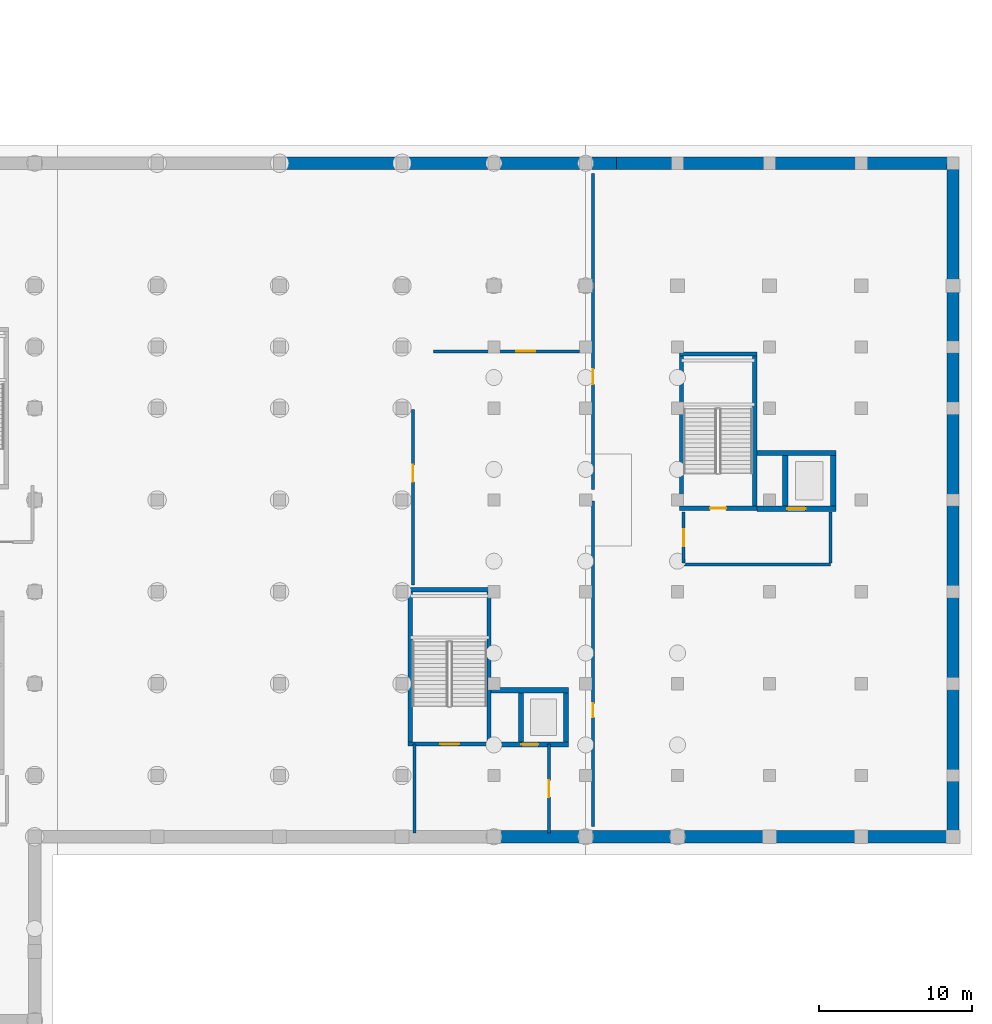
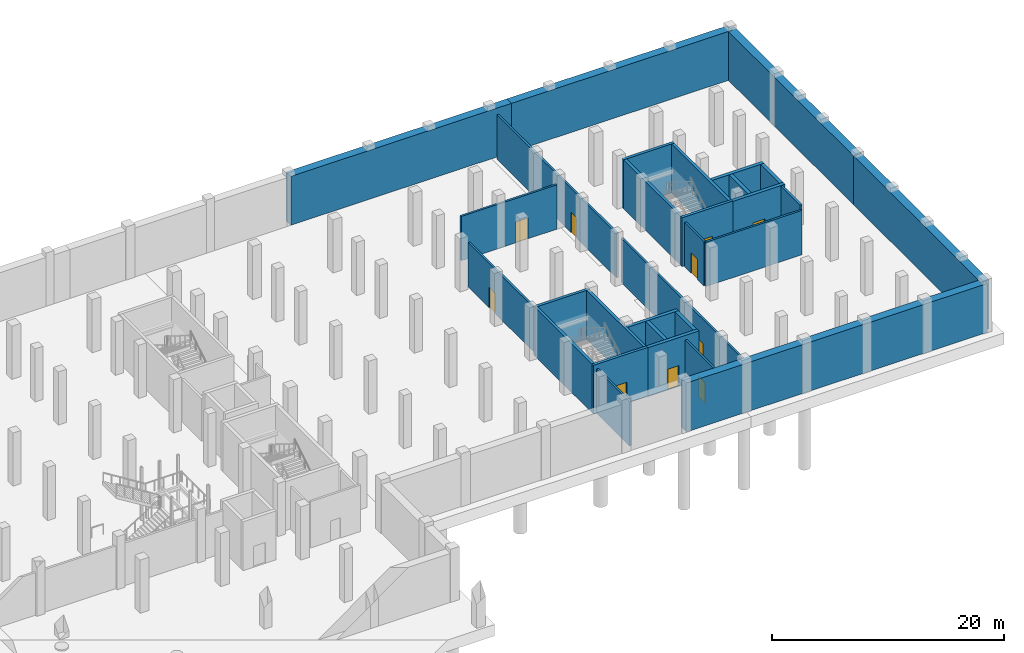
# One storey, part 17 of 26: 30 walls, 10 doors, 10 openings.
"""IFC4 building model written with IfcOpenShell, lengths in metres."""

import ifcopenshell
import ifcopenshell.guid

model = None  # the IFC model being written
_history = None  # IfcOwnerHistory: only IFC2X3 demands one
_inside = {}  # id of a spatial element -> (the spatial element, [elements in it])
_under = {}  # id of a project, library or spatial element -> (it, [spatial elements below it])
_declared = {}  # id of a project -> (the project, [libraries it declares])
_typed = {}  # id of a type object -> (the type object, [elements of that type])
_made_of = {}  # id of a material, layer set ... -> (it, [elements and type objects made of it])


def new_model(schema):
    """Start an empty IFC model of exactly this schema.

    Asked for "IFC4X3", IfcOpenShell would pick the latest addendum, in which some entities
    have other attributes; the version numbers below select the first issue.
    IFC2X3 requires an IfcOwnerHistory on every rooted entity: one is made here for all.
    """
    global model, _history
    if schema == "IFC4X3":
        model = ifcopenshell.file(schema_version=(4, 3, 0, 0))
    else:
        model = ifcopenshell.file(schema=schema)
    _inside.clear()
    _under.clear()
    _declared.clear()
    _typed.clear()
    _made_of.clear()
    _history = None
    if model.schema == "IFC2X3":
        org = make("IfcOrganization", Name="unknown")
        user = make(
            "IfcPersonAndOrganization",
            ThePerson=make("IfcPerson", FamilyName="unknown"),
            TheOrganization=org,
        )
        app = make(
            "IfcApplication",
            ApplicationDeveloper=org,
            Version="unknown",
            ApplicationFullName="unknown",
            ApplicationIdentifier="unknown",
        )
        _history = make(
            "IfcOwnerHistory",
            OwningUser=user,
            OwningApplication=app,
            ChangeAction="ADDED",
            CreationDate=0,
        )
    return model


def make(cls, **values):
    """One entity of the class cls with the attributes given. An attribute that is None is left unset."""
    return model.create_entity(
        cls, **{name: value for name, value in values.items() if value is not None}
    )


def rooted(cls, **values):
    """An entity with a GlobalId (a new one), such as an element, a storey or a relation."""
    return make(cls, GlobalId=ifcopenshell.guid.new(), OwnerHistory=_history, **values)


def si_unit(unit_type, name, prefix=None):
    """IfcSIUnit, for example si_unit("LENGTHUNIT", "METRE", prefix="MILLI")."""
    return make("IfcSIUnit", UnitType=unit_type, Prefix=prefix, Name=name)


def assignment(units):
    """IfcUnitAssignment: the units of a project."""
    return None if units is None else make("IfcUnitAssignment", Units=units)


def point(xyz):
    """IfcCartesianPoint."""
    return None if xyz is None else make("IfcCartesianPoint", Coordinates=xyz)


def direction(xyz):
    """IfcDirection."""
    return None if xyz is None else make("IfcDirection", DirectionRatios=xyz)


def frame(location, z_axis=None, x_axis=None):
    """IfcAxis2Placement3D, a coordinate frame: its origin and axes. An axis left out is left unset."""
    return make(
        "IfcAxis2Placement3D",
        Location=point(location),
        Axis=direction(z_axis),
        RefDirection=direction(x_axis),
    )


def frame_2d(location, x_axis=None):
    """IfcAxis2Placement2D, a coordinate frame in the plane: its origin and x axis."""
    return make(
        "IfcAxis2Placement2D", Location=point(location), RefDirection=direction(x_axis)
    )


def origin():
    """The frame at (0, 0, 0) with its axes left unset."""
    return frame((0.0, 0.0, 0.0))


def place(relative_to, where):
    """IfcLocalPlacement: puts the frame where relative to a parent placement (None: the world)."""
    return make(
        "IfcLocalPlacement", PlacementRelTo=relative_to, RelativePlacement=where
    )


def context(
    kind, dimensions, precision=None, world=None, true_north=None, identifier=None
):
    """IfcGeometricRepresentationContext, for example the 3D "Model" context."""
    return make(
        "IfcGeometricRepresentationContext",
        ContextIdentifier=identifier,
        ContextType=kind,
        CoordinateSpaceDimension=dimensions,
        Precision=precision,
        WorldCoordinateSystem=world,
        TrueNorth=true_north,
    )


def subcontext(parent, identifier, kind, view, scale=None):
    """IfcGeometricRepresentationSubContext, for example "Body" below "Model"."""
    return make(
        "IfcGeometricRepresentationSubContext",
        ContextIdentifier=identifier,
        ContextType=kind,
        ParentContext=parent,
        TargetScale=scale,
        TargetView=view,
    )


def project(units=None, contexts=None):
    """IfcProject with its units and contexts."""
    return rooted(
        "IfcProject",
        Name="project",
        RepresentationContexts=contexts,
        UnitsInContext=assignment(units),
    )


def spatial(cls, under=None, at=None, **own):
    """A site, building, storey or space (cls), placed at a placement, below another one or the project."""
    s = rooted(cls, ObjectPlacement=at, **own)
    if under is not None:
        _under.setdefault(under.id(), (under, []))[1].append(s)
    return s


def profile(cls, at=None, kind="AREA", **sizes):
    """A parametric profile (cls). Its sizes go by their IFC names, for example OverallWidth=200.0."""
    return make(cls, ProfileType=kind, Position=at, **sizes)


def rectangle(**sizes):
    """IfcRectangleProfileDef."""
    return profile("IfcRectangleProfileDef", **sizes)


def extrude(swept, where, along, depth):
    """IfcExtrudedAreaSolid: the profile swept, set in the frame where, extruded along a direction by depth."""
    return make(
        "IfcExtrudedAreaSolid",
        SweptArea=swept,
        Position=where,
        ExtrudedDirection=direction(along),
        Depth=depth,
    )


def shape(context_of_items, identifier, shape_type, items):
    """IfcShapeRepresentation: the items that make up one representation, for example the "Body"."""
    return make(
        "IfcShapeRepresentation",
        ContextOfItems=context_of_items,
        RepresentationIdentifier=identifier,
        RepresentationType=shape_type,
        Items=items,
    )


def material(Name=None, Category=None):
    """IfcMaterial."""
    return make("IfcMaterial", Name=Name, Category=Category)


def layer(
    of_material, thickness, ventilated=None, Name=None, Category=None, Priority=None
):
    """IfcMaterialLayer: one layer of a wall or slab, of a material (None: an air gap)."""
    return make(
        "IfcMaterialLayer",
        Material=of_material,
        LayerThickness=thickness,
        IsVentilated=ventilated,
        Name=Name,
        Category=Category,
        Priority=Priority,
    )


def layer_set(layers, Name=None):
    """IfcMaterialLayerSet."""
    return make("IfcMaterialLayerSet", MaterialLayers=layers, LayerSetName=Name)


def made_of(thing, what):
    """Note that an element or type object is made of a material, layer set ...; save() writes the relation."""
    if what is not None:
        _made_of.setdefault(what.id(), (what, []))[1].append(thing)
    return thing


def type_object(cls, material=None, **own):
    """A type object (cls), such as IfcWallType, which elements share."""
    return made_of(rooted(cls, **own), material)


def element(
    cls,
    number,
    at=None,
    inside=None,
    cuts=None,
    type_object=None,
    material=None,
    context=None,
    identifier="Body",
    shape_type=None,
    held_by="IfcProductDefinitionShape",
    body=None,
    shapes=None,
    **own,
):
    """One element of the class cls, such as IfcWall. Its Tag is "e" and its number.

    at: its placement. inside: the storey or other place that contains it. cuts: it is an
    opening in that element (IfcRelVoidsElement). A single representation is given by context,
    identifier, shape_type and body (its items); several are given by shapes. held_by: the class
    of the entity that holds the representations. save() writes the other relations.
    """
    e = rooted(cls, Tag="e%d" % number, ObjectPlacement=at, **own)
    if body is not None:
        shapes = [shape(context, identifier, shape_type, body)]
    if shapes is not None:
        e.Representation = make(held_by, Representations=shapes)
    if inside is not None:
        _inside.setdefault(inside.id(), (inside, []))[1].append(e)
    if cuts is not None:
        rooted(
            "IfcRelVoidsElement", RelatingBuildingElement=cuts, RelatedOpeningElement=e
        )
    if type_object is not None:
        _typed.setdefault(type_object.id(), (type_object, []))[1].append(e)
    return made_of(e, material)


def fill(opening, filler):
    """IfcRelFillsElement: the door or window that sits in an opening."""
    return rooted(
        "IfcRelFillsElement",
        RelatingOpeningElement=opening,
        RelatedBuildingElement=filler,
    )


def aggregate(whole, parts):
    """IfcRelAggregates: a whole, such as a stair, and the parts it consists of."""
    return rooted("IfcRelAggregates", RelatingObject=whole, RelatedObjects=parts)


def save(model, path):
    """Write the relations noted so far, then the file.

    IfcRelAggregates (storeys below a building ...), IfcRelContainedInSpatialStructure (elements
    in a storey), IfcRelDefinesByType, IfcRelAssociatesMaterial and IfcRelDeclares: one each for
    every whole, place, type object, material and project.
    """
    for whole, parts in _under.values():
        aggregate(whole, parts)
    for where, things in _inside.values():
        rooted(
            "IfcRelContainedInSpatialStructure",
            RelatedElements=things,
            RelatingStructure=where,
        )
    for kind, things in _typed.values():
        rooted("IfcRelDefinesByType", RelatedObjects=things, RelatingType=kind)
    for what, things in _made_of.values():
        rooted("IfcRelAssociatesMaterial", RelatedObjects=things, RelatingMaterial=what)
    for by, libraries in _declared.values():
        rooted("IfcRelDeclares", RelatingContext=by, RelatedDefinitions=libraries)
    model.write(path)


model = new_model("IFC4")

# Units and contexts
model_context = context("Model", 3, precision=1e-05, world=origin(), true_north=direction((0.0, 1.0)))
body_context = subcontext(model_context, "Body", "Model", "MODEL_VIEW")
ifc_project = project(units=[si_unit("LENGTHUNIT", "METRE"), si_unit("AREAUNIT", "SQUARE_METRE"), si_unit("VOLUMEUNIT", "CUBIC_METRE"), si_unit("PLANEANGLEUNIT", "RADIAN"), si_unit("MASSUNIT", "GRAM", prefix="KILO")], contexts=[model_context])

# Site, building, storey
site_placement = place(None, origin())
site = spatial("IfcSite", under=ifc_project, at=site_placement, CompositionType="ELEMENT")
building_placement = place(site_placement, origin())
building = spatial("IfcBuilding", under=site, at=building_placement, Name="Verrall Gate Interchange", CompositionType="ELEMENT")
storey_placement = place(building_placement, frame((0.0, 0.0, -10.39990234375)))
storey = spatial("IfcBuildingStorey", under=building, at=storey_placement, Name="B2", CompositionType="ELEMENT", Elevation=-10.39990234375)

# Wall
ifc_material_1 = material(Name="Fire-Rated Type X Gypsum Stud Partition Assembly (60 min)", Category="gypsum")
ifc_layer_1 = layer(ifc_material_1, 0.199951171875)
ifc_layer_set_1 = layer_set([ifc_layer_1], Name="Fire-Rated Type X Gypsum Stud Partition Assembly (60 min)")
wall_type_1 = type_object("IfcWallType", Name="IW-01 Interior Partition Wall 200", PredefinedType="PARTITIONING", material=ifc_layer_set_1)
wall_1_placement = place(storey_placement, frame((132.800048828125, 18.050048828125, 0.0), z_axis=(0.0, 0.0, 1.0), x_axis=(0.0, -1.0, 0.0)))
element("IfcWall", 1, at=wall_1_placement, inside=storey, type_object=wall_type_1, Name="B2 Core C8 Lobby West Rated Wall", PredefinedType="PARTITIONING", context=body_context, shape_type="SweptSolid", body=[
    extrude(rectangle(XDim=5.820068359375, YDim=0.199951171875, at=frame_2d((2.91015625, 0.0))), origin(), (0.0, 0.0, 1.0), 4.679931640625),
])

# Wall, opening, door
wall_2_placement = place(storey_placement, frame((141.60009765625, 12.22998046875, 0.0), z_axis=(0.0, 0.0, 1.0), x_axis=(0.0, 1.0, 0.0)))
wall_2 = element("IfcWall", 2, at=wall_2_placement, inside=storey, type_object=wall_type_1, Name="B2 Core C8 Lobby East Rated Wall", PredefinedType="PARTITIONING", context=body_context, shape_type="SweptSolid", body=[
    extrude(rectangle(XDim=5.820068359375, YDim=0.199951171875, at=frame_2d((2.91015625, 0.0))), origin(), (0.0, 0.0, 1.0), 4.679931640625),
])
opening_1_placement = place(wall_2_placement, frame((2.360107421875, 0.0, 0.0)))
opening_1 = element("IfcOpeningElement", 3, at=opening_1_placement, cuts=wall_2, Name="Opening LBD092", PredefinedType="OPENING", context=body_context, shape_type="SweptSolid", body=[
    extrude(rectangle(XDim=1.10009765625, YDim=2.14990234375, at=frame_2d((0.550048828125, 1.074951171875))), frame((0.0, 0.11474609375, 0.0), z_axis=(0.0, -1.0, 0.0), x_axis=(1.0, 0.0, 0.0)), (0.0, 0.0, 1.0), 0.229736328125),
])
ifc_material_2 = material(Name="Hollow-Metal Fire-Rated Door Assembly", Category="metal")
door_type_1 = type_object("IfcDoorType", Name="ID-06 Interior Swing Door 1100x2150", OperationType="NOTDEFINED", PredefinedType="DOOR", material=ifc_material_2)
door_1_placement = place(opening_1_placement, origin())
door_1 = element("IfcDoor", 4, at=door_1_placement, inside=storey, type_object=door_type_1, Name="B2 Core C8 Lobby Fire Door LBD092", OperationType="SINGLE_SWING_RIGHT", OverallHeight=2.14990234375, OverallWidth=1.10009765625, PredefinedType="DOOR", context=body_context, shape_type="SweptSolid", body=[
    extrude(rectangle(XDim=1.10009765625, YDim=2.14990234375, at=frame_2d((0.550048828125, 1.074951171875))), frame((0.0, 0.02490234375, 0.0), z_axis=(0.0, -1.0, 0.0), x_axis=(1.0, 0.0, 0.0)), (0.0, 0.0, 1.0), 0.050048828125),
])
fill(opening_1, door_1)

# Wall
wall_3_placement = place(storey_placement, frame((150.39990234375, 29.800048828125, 0.0), z_axis=(0.0, 0.0, 1.0), x_axis=(1.0, 0.0, 0.0)))
element("IfcWall", 5, at=wall_3_placement, inside=storey, type_object=wall_type_1, Name="B2 Core C9 Lobby South Rated Wall", PredefinedType="PARTITIONING", context=body_context, shape_type="SweptSolid", body=[
    extrude(rectangle(XDim=9.60009765625, YDim=0.199951171875, at=frame_2d((4.800048828125, 0.0))), origin(), (0.0, 0.0, 1.0), 4.679931640625),
])

# Wall, opening, door
wall_4_placement = place(storey_placement, frame((150.39990234375, 33.199951171875, 0.0), z_axis=(0.0, 0.0, 1.0), x_axis=(0.0, -1.0, 0.0)))
wall_4 = element("IfcWall", 6, at=wall_4_placement, inside=storey, type_object=wall_type_1, Name="B2 Core C9 Lobby West Rated Wall", PredefinedType="PARTITIONING", context=body_context, shape_type="SweptSolid", body=[
    extrude(rectangle(XDim=3.320068359375, YDim=0.199951171875, at=frame_2d((1.66015625, 0.0))), origin(), (0.0, 0.0, 1.0), 4.679931640625),
])
opening_2_placement = place(wall_4_placement, frame((1.110107421875, 0.0, 0.0)))
opening_2 = element("IfcOpeningElement", 7, at=opening_2_placement, cuts=wall_4, Name="Opening LBD102", PredefinedType="OPENING", context=body_context, shape_type="SweptSolid", body=[
    extrude(rectangle(XDim=1.10009765625, YDim=2.14990234375, at=frame_2d((0.550048828125, 1.074951171875))), frame((0.0, 0.11474609375, 0.0), z_axis=(0.0, -1.0, 0.0), x_axis=(1.0, 0.0, 0.0)), (0.0, 0.0, 1.0), 0.229736328125),
])
door_2_placement = place(opening_2_placement, origin())
door_2 = element("IfcDoor", 8, at=door_2_placement, inside=storey, type_object=door_type_1, Name="B2 Core C9 Lobby Fire Door LBD102", OperationType="SINGLE_SWING_RIGHT", OverallHeight=2.14990234375, OverallWidth=1.10009765625, PredefinedType="DOOR", context=body_context, shape_type="SweptSolid", body=[
    extrude(rectangle(XDim=1.10009765625, YDim=2.14990234375, at=frame_2d((0.550048828125, 1.074951171875))), frame((0.0, 0.02490234375, 0.0), z_axis=(0.0, -1.0, 0.0), x_axis=(1.0, 0.0, 0.0)), (0.0, 0.0, 1.0), 0.050048828125),
])
fill(opening_2, door_2)

# Wall
wall_5_placement = place(storey_placement, frame((160.0, 29.8798828125, 0.0), z_axis=(0.0, 0.0, 1.0), x_axis=(0.0, 1.0, 0.0)))
element("IfcWall", 9, at=wall_5_placement, inside=storey, type_object=wall_type_1, Name="B2 Core C9 Lobby East Rated Wall", PredefinedType="PARTITIONING", context=body_context, shape_type="SweptSolid", body=[
    extrude(rectangle(XDim=3.320068359375, YDim=0.199951171875, at=frame_2d((1.66015625, 0.0))), origin(), (0.0, 0.0, 1.0), 5.14990234375),
])

# Wall, opening, door
wall_6_placement = place(storey_placement, frame((132.719970703125, 39.919921875, 0.0), z_axis=(0.0, 0.0, 1.0), x_axis=(0.0, -1.0, 0.0)))
wall_6 = element("IfcWall", 10, at=wall_6_placement, inside=storey, type_object=wall_type_1, Name="B2 East Tunnel Emergency Ventilation Plenum Partition 002", PredefinedType="PARTITIONING", context=body_context, shape_type="SweptSolid", body=[
    extrude(rectangle(XDim=11.47998046875, YDim=0.199951171875, at=frame_2d((5.739990234375, 0.0))), origin(), (0.0, 0.0, 1.0), 4.679931640625),
])
opening_3_placement = place(wall_6_placement, frame((3.633056640625, 0.0, 0.0)))
opening_3 = element("IfcOpeningElement", 11, at=opening_3_placement, cuts=wall_6, Name="Opening D002", PredefinedType="OPENING", context=body_context, shape_type="SweptSolid", body=[
    extrude(rectangle(XDim=1.10009765625, YDim=2.14990234375, at=frame_2d((0.550048828125, 1.074951171875))), frame((0.0, 0.11474609375, 0.0), z_axis=(0.0, -1.0, 0.0), x_axis=(1.0, 0.0, 0.0)), (0.0, 0.0, 1.0), 0.229736328125),
])
door_3_placement = place(opening_3_placement, origin())
door_3 = element("IfcDoor", 12, at=door_3_placement, inside=storey, type_object=door_type_1, Name="B2 East Tunnel Emergency Ventilation Plenum Door D002", OperationType="SINGLE_SWING_LEFT", OverallHeight=2.14990234375, OverallWidth=1.10009765625, PredefinedType="DOOR", context=body_context, shape_type="SweptSolid", body=[
    extrude(rectangle(XDim=1.10009765625, YDim=2.14990234375, at=frame_2d((0.550048828125, 1.074951171875))), frame((0.0, 0.02490234375, 0.0), z_axis=(0.0, -1.0, 0.0), x_axis=(1.0, 0.0, 0.0)), (0.0, 0.0, 1.0), 0.050048828125),
])
fill(opening_3, door_3)

wall_7_placement = place(storey_placement, frame((144.47998046875, 12.679931640625, 0.0), z_axis=(0.0, 0.0, 1.0), x_axis=(0.0, 1.0, 0.0)))
wall_7 = element("IfcWall", 13, at=wall_7_placement, inside=storey, type_object=wall_type_1, Name="B2 East Metro Tunnel Ventilation Fan Plant Partition 005", PredefinedType="PARTITIONING", context=body_context, shape_type="SweptSolid", body=[
    extrude(rectangle(XDim=21.239990234375, YDim=0.199951171875, at=frame_2d((10.6201171875, 0.0))), origin(), (0.0, 0.0, 1.0), 4.679931640625),
])
opening_4_placement = place(wall_7_placement, frame((7.112060546875, 0.0, 0.0)))
opening_4 = element("IfcOpeningElement", 14, at=opening_4_placement, cuts=wall_7, Name="Opening D005", PredefinedType="OPENING", context=body_context, shape_type="SweptSolid", body=[
    extrude(rectangle(XDim=0.919921875, YDim=2.10009765625, at=frame_2d((0.4599609375, 1.050048828125))), frame((0.0, 0.11474609375, 0.0), z_axis=(0.0, -1.0, 0.0), x_axis=(1.0, 0.0, 0.0)), (0.0, 0.0, 1.0), 0.229736328125),
])
ifc_material_3 = material(Name="Architectural Solid-Core Birch Acoustic Door Assembly", Category="wood")
door_type_2 = type_object("IfcDoorType", Name="ID-10 Interior Swing Door 920x2100", OperationType="NOTDEFINED", PredefinedType="DOOR", material=ifc_material_3)
door_4_placement = place(opening_4_placement, origin())
door_4 = element("IfcDoor", 15, at=door_4_placement, inside=storey, type_object=door_type_2, Name="B2 East Metro Tunnel Ventilation Fan Plant Door D005", OperationType="SINGLE_SWING_RIGHT", OverallHeight=2.10009765625, OverallWidth=0.919921875, PredefinedType="DOOR", context=body_context, shape_type="SweptSolid", body=[
    extrude(rectangle(XDim=0.919921875, YDim=2.10009765625, at=frame_2d((0.4599609375, 1.050048828125))), frame((0.0, 0.02490234375, 0.0), z_axis=(0.0, -1.0, 0.0), x_axis=(1.0, 0.0, 0.0)), (0.0, 0.0, 1.0), 0.050048828125),
])
fill(opening_4, door_4)

wall_8_placement = place(storey_placement, frame((144.47998046875, 34.679931640625, 0.0), z_axis=(0.0, 0.0, 1.0), x_axis=(0.0, 1.0, 0.0)))
wall_8 = element("IfcWall", 16, at=wall_8_placement, inside=storey, type_object=wall_type_1, Name="B2 Submersible Sump Pump and Drainage Plant Partition 006", PredefinedType="PARTITIONING", context=body_context, shape_type="SweptSolid", body=[
    extrude(rectangle(XDim=20.64013671875, YDim=0.199951171875, at=frame_2d((10.320068359375, 0.0))), origin(), (0.0, 0.0, 1.0), 4.679931640625),
])
opening_5_placement = place(wall_8_placement, frame((6.8740234375, 0.0, 0.0)))
opening_5 = element("IfcOpeningElement", 17, at=opening_5_placement, cuts=wall_8, Name="Opening D006", PredefinedType="OPENING", context=body_context, shape_type="SweptSolid", body=[
    extrude(rectangle(XDim=1.0, YDim=2.14990234375, at=frame_2d((0.5, 1.074951171875))), frame((0.0, 0.11474609375, 0.0), z_axis=(0.0, -1.0, 0.0), x_axis=(1.0, 0.0, 0.0)), (0.0, 0.0, 1.0), 0.229736328125),
])
ifc_material_4 = material(Name="Hollow-Metal Fire-Rated Door Assembly", Category="metal")
door_type_3 = type_object("IfcDoorType", Name="ID-05 Interior Swing Door 1000x2150", OperationType="NOTDEFINED", PredefinedType="DOOR", material=ifc_material_4)
door_5_placement = place(opening_5_placement, origin())
door_5 = element("IfcDoor", 18, at=door_5_placement, inside=storey, type_object=door_type_3, Name="B2 Submersible Sump Pump and Drainage Plant Door D006", OperationType="SINGLE_SWING_LEFT", OverallHeight=2.14990234375, OverallWidth=1.0, PredefinedType="DOOR", context=body_context, shape_type="SweptSolid", body=[
    extrude(rectangle(XDim=1.0, YDim=2.14990234375, at=frame_2d((0.5, 1.074951171875))), frame((0.0, 0.02490234375, 0.0), z_axis=(0.0, -1.0, 0.0), x_axis=(1.0, 0.0, 0.0)), (0.0, 0.0, 1.0), 0.050048828125),
])
fill(opening_5, door_5)

wall_9_placement = place(storey_placement, frame((143.607421875, 43.7099609375, 0.0), z_axis=(0.0, 0.0, 1.0), x_axis=(-0.999999994757, -0.000102403932, 0.0)))
wall_9 = element("IfcWall", 19, at=wall_9_placement, inside=storey, type_object=wall_type_1, Name="B2 Northbound LRT Trackway and Exhaust Plenum Partition 008", PredefinedType="PARTITIONING", context=body_context, shape_type="SweptSolid", body=[
    extrude(rectangle(XDim=9.536376953125, YDim=0.199951171875, at=frame_2d((4.76806640625, 0.0))), origin(), (0.0, 0.0, 1.0), 4.679931640625),
])
opening_6_placement = place(wall_9_placement, frame((2.910888671875, 0.0, 0.0)))
opening_6 = element("IfcOpeningElement", 20, at=opening_6_placement, cuts=wall_9, Name="Opening D008", PredefinedType="OPENING", context=body_context, shape_type="SweptSolid", body=[
    extrude(rectangle(XDim=1.219970703125, YDim=2.199951171875, at=frame_2d((0.60986328125, 1.10009765625))), frame((0.0, 0.11474609375, 0.0), z_axis=(0.0, -1.0, 0.0), x_axis=(1.0, 0.0, 0.0)), (0.0, 0.0, 1.0), 0.229736328125),
])
ifc_material_5 = material(Name="Hollow-Metal Fire-Rated Door Assembly", Category="metal")
door_type_4 = type_object("IfcDoorType", Name="ID-07 Interior Swing Door 1220x2200", OperationType="NOTDEFINED", PredefinedType="DOOR", material=ifc_material_5)
door_6_placement = place(opening_6_placement, origin())
door_6 = element("IfcDoor", 21, at=door_6_placement, inside=storey, type_object=door_type_4, Name="B2 Northbound LRT Trackway and Exhaust Plenum Door D008", OperationType="SINGLE_SWING_LEFT", OverallHeight=2.199951171875, OverallWidth=1.219970703125, PredefinedType="DOOR", context=body_context, shape_type="SweptSolid", body=[
    extrude(rectangle(XDim=1.219970703125, YDim=2.199951171875, at=frame_2d((0.60986328125, 1.10009765625))), frame((0.0, 0.02490234375, 0.0), z_axis=(0.0, -1.0, 0.0), x_axis=(1.0, 0.0, 0.0)), (0.0, 0.0, 1.0), 0.050048828125),
])
fill(opening_6, door_6)

# Walls
ifc_material_6 = material(Name="Concrete CSA A23.1 35 MPa (Class S-2)", Category="concrete")
ifc_layer_2 = layer(ifc_material_6, 0.800048828125)
ifc_layer_set_2 = layer_set([ifc_layer_2], Name="Concrete CSA A23.1 35 MPa (Class S-2)")
wall_type_2 = type_object("IfcWallType", Name="RW-01 Diaphragm Retaining Wall 800", PredefinedType="USERDEFINED", material=ifc_layer_set_2)
wall_10_placement = place(storey_placement, frame((138.0, 12.0, 0.0), z_axis=(0.0, 0.0, 1.0), x_axis=(1.0, 0.0, 0.0)))
element("IfcWall", 22, at=wall_10_placement, inside=storey, type_object=wall_type_2, Name="B2 Diaphragm Retaining Wall 008", ObjectType="RETAININGWALL", PredefinedType="USERDEFINED", context=body_context, shape_type="SweptSolid", body=[
    extrude(rectangle(XDim=30.0, YDim=0.800048828125, at=frame_2d((15.0, 0.0))), origin(), (0.0, 0.0, 1.0), 5.14990234375),
])
for number, where, z_axis, x_axis, name in (
    (23, (168.0, 12.0, 0.0), (0.0, 0.0, 1.0), (0.0, 1.0, 0.0), "B2 Diaphragm Retaining Wall 009"),
    (24, (168.0, 34.0, 0.0), (0.0, 0.0, 1.0), (0.0, 1.0, 0.0), "B2 Diaphragm Retaining Wall 010"),
    (25, (168.0, 56.0, 0.0), (0.0, 0.0, 1.0), (-1.0, 0.0, 0.0), "B2 Diaphragm Retaining Wall 011"),
    (26, (146.0, 56.0, 0.0), (0.0, 0.0, 1.0), (-1.0, 0.0, 0.0), "B2 Diaphragm Retaining Wall 012"),
):
    element("IfcWall", number, at=place(storey_placement, frame(where, z_axis=z_axis, x_axis=x_axis)), inside=storey, type_object=wall_type_2, Name=name, ObjectType="RETAININGWALL", PredefinedType="USERDEFINED", context=body_context, shape_type="SweptSolid", body=[
        extrude(rectangle(XDim=22.0, YDim=0.800048828125, at=frame_2d((11.0, 0.0))), origin(), (0.0, 0.0, 1.0), 5.14990234375),
    ])

# Wall, opening, door
ifc_material_7 = material(Name="Concrete CSA A23.1 40 MPa (Class N)", Category="concrete")
ifc_layer_3 = layer(ifc_material_7, 0.340087890625)
ifc_layer_set_3 = layer_set([ifc_layer_3], Name="Concrete CSA A23.1 40 MPa (Class N)")
wall_type_3 = type_object("IfcWallType", Name="SW-02 Core Shear Wall 340", PredefinedType="SHEAR", material=ifc_layer_set_3)
wall_11_placement = place(storey_placement, frame((137.820068359375, 18.030029296875, 0.0), z_axis=(0.0, 0.0, 1.0), x_axis=(1.0, 0.0, 0.0)))
wall_11 = element("IfcWall", 27, at=wall_11_placement, inside=storey, type_object=wall_type_3, Name="B2 Elevator EL-06 South Shaft Wall", PredefinedType="SHEAR", context=body_context, shape_type="SweptSolid", body=[
    extrude(rectangle(XDim=5.059814453125, YDim=0.340087890625, at=frame_2d((2.52978515625, 0.0))), origin(), (0.0, 0.0, 1.0), 5.14990234375),
])
opening_7_placement = place(wall_11_placement, frame((1.97998046875, 0.0, 0.0)))
opening_7 = element("IfcOpeningElement", 28, at=opening_7_placement, cuts=wall_11, Name="Opening LD-06-B2", PredefinedType="OPENING", context=body_context, shape_type="SweptSolid", body=[
    extrude(rectangle(XDim=1.10009765625, YDim=2.199951171875, at=frame_2d((0.550048828125, 1.10009765625))), frame((0.0, 0.18505859375, 0.0), z_axis=(0.0, -1.0, 0.0), x_axis=(1.0, 0.0, 0.0)), (0.0, 0.0, 1.0), 0.369873046875),
])
ifc_material_8 = material(Name="Stainless-Steel Elevator Landing Sliding Door Assembly", Category="steel")
door_type_5 = type_object("IfcDoorType", Name="LD-01 Elevator Sliding Landing Door 1100x2200", OperationType="NOTDEFINED", PredefinedType="DOOR", material=ifc_material_8)
door_7_placement = place(opening_7_placement, origin())
door_7 = element("IfcDoor", 29, at=door_7_placement, inside=storey, type_object=door_type_5, Name="B2 Elevator EL-06 Sliding Landing Door", OperationType="DOUBLE_DOOR_SLIDING", OverallHeight=2.199951171875, OverallWidth=1.10009765625, PredefinedType="DOOR", context=body_context, shape_type="SweptSolid", body=[
    extrude(rectangle(XDim=1.10009765625, YDim=2.199951171875, at=frame_2d((0.550048828125, 1.10009765625))), frame((0.0, 0.02490234375, 0.0), z_axis=(0.0, -1.0, 0.0), x_axis=(1.0, 0.0, 0.0)), (0.0, 0.0, 1.0), 0.050048828125),
])
fill(opening_7, door_7)

# Walls
wall_12_placement = place(storey_placement, frame((142.8798828125, 21.570068359375, 0.0), z_axis=(0.0, 0.0, 1.0), x_axis=(-1.0, 0.0, 0.0)))
element("IfcWall", 30, at=wall_12_placement, inside=storey, type_object=wall_type_3, Name="B2 Elevator EL-06 North Shaft Wall", PredefinedType="SHEAR", context=body_context, shape_type="SweptSolid", body=[
    extrude(rectangle(XDim=5.059814453125, YDim=0.340087890625, at=frame_2d((2.52978515625, 0.0))), origin(), (0.0, 0.0, 1.0), 5.14990234375),
])
for number, where, z_axis, x_axis, name in (
    (31, (139.77001953125, 21.39990234375, 0.0), (0.0, 0.0, 1.0), (0.0, -1.0, 0.0), "B2 Elevator EL-06 West Shaft Wall"),
    (32, (142.7099609375, 18.199951171875, 0.0), (0.0, 0.0, 1.0), (0.0, 1.0, 0.0), "B2 Elevator EL-06 East Shaft Wall"),
):
    element("IfcWall", number, at=place(storey_placement, frame(where, z_axis=z_axis, x_axis=x_axis)), inside=storey, type_object=wall_type_3, Name=name, PredefinedType="SHEAR", context=body_context, shape_type="SweptSolid", body=[
        extrude(rectangle(XDim=3.199951171875, YDim=0.340087890625, at=frame_2d((1.60009765625, 0.0))), origin(), (0.0, 0.0, 1.0), 5.14990234375),
    ])

# Wall, opening, door
wall_13_placement = place(storey_placement, frame((155.179931640625, 33.429931640625, 0.0), z_axis=(0.0, 0.0, 1.0), x_axis=(1.0, 0.0, 0.0)))
wall_13 = element("IfcWall", 33, at=wall_13_placement, inside=storey, type_object=wall_type_3, Name="B2 Elevator EL-07 South Shaft Wall", PredefinedType="SHEAR", context=body_context, shape_type="SweptSolid", body=[
    extrude(rectangle(XDim=5.16015625, YDim=0.340087890625, at=frame_2d((2.580078125, 0.0))), origin(), (0.0, 0.0, 1.0), 5.14990234375),
])
opening_8_placement = place(wall_13_placement, frame((1.97998046875, 0.0, 0.0)))
opening_8 = element("IfcOpeningElement", 34, at=opening_8_placement, cuts=wall_13, Name="Opening LD-07-B2", PredefinedType="OPENING", context=body_context, shape_type="SweptSolid", body=[
    extrude(rectangle(XDim=1.199951171875, YDim=2.199951171875, at=frame_2d((0.60009765625, 1.10009765625))), frame((0.0, 0.18505859375, 0.0), z_axis=(0.0, -1.0, 0.0), x_axis=(1.0, 0.0, 0.0)), (0.0, 0.0, 1.0), 0.369873046875),
])
ifc_material_9 = material(Name="Stainless-Steel Elevator Landing Sliding Door Assembly", Category="steel")
door_type_6 = type_object("IfcDoorType", Name="LD-02 Elevator Sliding Landing Door 1200x2200", OperationType="NOTDEFINED", PredefinedType="DOOR", material=ifc_material_9)
door_8_placement = place(opening_8_placement, origin())
door_8 = element("IfcDoor", 35, at=door_8_placement, inside=storey, type_object=door_type_6, Name="B2 Elevator EL-07 Sliding Landing Door", OperationType="DOUBLE_DOOR_SLIDING", OverallHeight=2.199951171875, OverallWidth=1.199951171875, PredefinedType="DOOR", context=body_context, shape_type="SweptSolid", body=[
    extrude(rectangle(XDim=1.199951171875, YDim=2.199951171875, at=frame_2d((0.60009765625, 1.10009765625))), frame((0.0, 0.02490234375, 0.0), z_axis=(0.0, -1.0, 0.0), x_axis=(1.0, 0.0, 0.0)), (0.0, 0.0, 1.0), 0.050048828125),
])
fill(opening_8, door_8)

# Walls
wall_14_placement = place(storey_placement, frame((160.340087890625, 37.070068359375, 0.0), z_axis=(0.0, 0.0, 1.0), x_axis=(-1.0, 0.0, 0.0)))
element("IfcWall", 36, at=wall_14_placement, inside=storey, type_object=wall_type_3, Name="B2 Elevator EL-07 North Shaft Wall", PredefinedType="SHEAR", context=body_context, shape_type="SweptSolid", body=[
    extrude(rectangle(XDim=5.16015625, YDim=0.340087890625, at=frame_2d((2.580078125, 0.0))), origin(), (0.0, 0.0, 1.0), 5.14990234375),
])
for number, where, z_axis, x_axis, name in (
    (37, (157.030029296875, 36.89990234375, 0.0), (0.0, 0.0, 1.0), (0.0, -1.0, 0.0), "B2 Elevator EL-07 West Shaft Wall"),
    (38, (160.169921875, 33.60009765625, 0.0), (0.0, 0.0, 1.0), (0.0, 1.0, 0.0), "B2 Elevator EL-07 East Shaft Wall"),
):
    element("IfcWall", number, at=place(storey_placement, frame(where, z_axis=z_axis, x_axis=x_axis)), inside=storey, type_object=wall_type_3, Name=name, PredefinedType="SHEAR", context=body_context, shape_type="SweptSolid", body=[
        extrude(rectangle(XDim=3.2998046875, YDim=0.340087890625, at=frame_2d((1.64990234375, 0.0))), origin(), (0.0, 0.0, 1.0), 5.14990234375),
    ])

# Wall, opening, door
ifc_material_10 = material(Name="Concrete CSA A23.1 40 MPa (Class N)", Category="concrete")
ifc_layer_4 = layer(ifc_material_10, 0.280029296875)
ifc_layer_set_4 = layer_set([ifc_layer_4], Name="Concrete CSA A23.1 40 MPa (Class N)")
wall_type_4 = type_object("IfcWallType", Name="SW-03 Core Shear Wall 280", PredefinedType="SHEAR", material=ifc_layer_set_4)
wall_15_placement = place(storey_placement, frame((132.39990234375, 18.06005859375, 0.0), z_axis=(0.0, 0.0, 1.0), x_axis=(1.0, 0.0, 0.0)))
wall_15 = element("IfcWall", 39, at=wall_15_placement, inside=storey, type_object=wall_type_4, Name="B2 Core C8 South Shear Wall", PredefinedType="SHEAR", context=body_context, shape_type="SweptSolid", body=[
    extrude(rectangle(XDim=5.420166015625, YDim=0.280029296875, at=frame_2d((2.7099609375, 0.0))), origin(), (0.0, 0.0, 1.0), 5.14990234375),
])
opening_9_placement = place(wall_15_placement, frame((2.0849609375, 0.0, 0.0)))
opening_9 = element("IfcOpeningElement", 40, at=opening_9_placement, cuts=wall_15, Name="Opening SD087", PredefinedType="OPENING", context=body_context, shape_type="SweptSolid", body=[
    extrude(rectangle(XDim=1.25, YDim=2.199951171875, at=frame_2d((0.625, 1.10009765625))), frame((0.0, 0.15478515625, 0.0), z_axis=(0.0, -1.0, 0.0), x_axis=(1.0, 0.0, 0.0)), (0.0, 0.0, 1.0), 0.309814453125),
])
ifc_material_11 = material(Name="Hollow-Metal Fire-Rated Door Assembly", Category="metal")
door_type_7 = type_object("IfcDoorType", Name="ID-03 Interior Swing Door 1250x2200", OperationType="NOTDEFINED", PredefinedType="DOOR", material=ifc_material_11)
door_9_placement = place(opening_9_placement, origin())
door_9 = element("IfcDoor", 41, at=door_9_placement, inside=storey, type_object=door_type_7, Name="B2 Stair ST-08 Fire Door SD087", OperationType="SINGLE_SWING_LEFT", OverallHeight=2.199951171875, OverallWidth=1.25, PredefinedType="DOOR", context=body_context, shape_type="SweptSolid", body=[
    extrude(rectangle(XDim=1.25, YDim=2.199951171875, at=frame_2d((0.625, 1.10009765625))), frame((0.0, 0.02490234375, 0.0), z_axis=(0.0, -1.0, 0.0), x_axis=(1.0, 0.0, 0.0)), (0.0, 0.0, 1.0), 0.050048828125),
])
fill(opening_9, door_9)

# Walls
wall_16_placement = place(storey_placement, frame((137.820068359375, 28.139892578125, 0.0), z_axis=(0.0, 0.0, 1.0), x_axis=(-1.0, 0.0, 0.0)))
element("IfcWall", 42, at=wall_16_placement, inside=storey, type_object=wall_type_4, Name="B2 Core C8 North Shear Wall", PredefinedType="SHEAR", context=body_context, shape_type="SweptSolid", body=[
    extrude(rectangle(XDim=5.420166015625, YDim=0.280029296875, at=frame_2d((2.7099609375, 0.0))), origin(), (0.0, 0.0, 1.0), 5.14990234375),
])
for number, where, z_axis, x_axis, name in (
    (43, (132.5400390625, 28.0, 0.0), (0.0, 0.0, 1.0), (0.0, -1.0, 0.0), "B2 Core C8 West Shear Wall"),
    (44, (137.679931640625, 18.199951171875, 0.0), (0.0, 0.0, 1.0), (0.0, 1.0, 0.0), "B2 Core C8 East Shear Wall"),
):
    element("IfcWall", number, at=place(storey_placement, frame(where, z_axis=z_axis, x_axis=x_axis)), inside=storey, type_object=wall_type_4, Name=name, PredefinedType="SHEAR", context=body_context, shape_type="SweptSolid", body=[
        extrude(rectangle(XDim=9.800048828125, YDim=0.280029296875, at=frame_2d((4.89990234375, 0.0))), origin(), (0.0, 0.0, 1.0), 5.14990234375),
    ])

# Wall, opening, door
wall_17_placement = place(storey_placement, frame((150.1201171875, 33.4599609375, 0.0), z_axis=(0.0, 0.0, 1.0), x_axis=(1.0, 0.0, 0.0)))
wall_17 = element("IfcWall", 45, at=wall_17_placement, inside=storey, type_object=wall_type_4, Name="B2 Core C9 South Shear Wall", PredefinedType="SHEAR", context=body_context, shape_type="SweptSolid", body=[
    extrude(rectangle(XDim=5.059814453125, YDim=0.280029296875, at=frame_2d((2.52978515625, 0.0))), origin(), (0.0, 0.0, 1.0), 5.14990234375),
])
opening_10_placement = place(wall_17_placement, frame((2.0048828125, 0.0, 0.0)))
opening_10 = element("IfcOpeningElement", 46, at=opening_10_placement, cuts=wall_17, Name="Opening SD097", PredefinedType="OPENING", context=body_context, shape_type="SweptSolid", body=[
    extrude(rectangle(XDim=1.050048828125, YDim=2.14990234375, at=frame_2d((0.52490234375, 1.074951171875))), frame((0.0, 0.15478515625, 0.0), z_axis=(0.0, -1.0, 0.0), x_axis=(1.0, 0.0, 0.0)), (0.0, 0.0, 1.0), 0.309814453125),
])
ifc_material_12 = material(Name="Hollow-Metal Fire-Rated Door Assembly", Category="metal")
door_type_8 = type_object("IfcDoorType", Name="ID-01 Interior Swing Door 1050x2150", OperationType="NOTDEFINED", PredefinedType="DOOR", material=ifc_material_12)
door_10_placement = place(opening_10_placement, origin())
door_10 = element("IfcDoor", 47, at=door_10_placement, inside=storey, type_object=door_type_8, Name="B2 Stair ST-09 Fire Door SD097", OperationType="SINGLE_SWING_LEFT", OverallHeight=2.14990234375, OverallWidth=1.050048828125, PredefinedType="DOOR", context=body_context, shape_type="SweptSolid", body=[
    extrude(rectangle(XDim=1.050048828125, YDim=2.14990234375, at=frame_2d((0.52490234375, 1.074951171875))), frame((0.0, 0.02490234375, 0.0), z_axis=(0.0, -1.0, 0.0), x_axis=(1.0, 0.0, 0.0)), (0.0, 0.0, 1.0), 0.050048828125),
])
fill(opening_10, door_10)

# Walls
wall_18_placement = place(storey_placement, frame((155.179931640625, 43.5400390625, 0.0), z_axis=(0.0, 0.0, 1.0), x_axis=(-1.0, 0.0, 0.0)))
element("IfcWall", 48, at=wall_18_placement, inside=storey, type_object=wall_type_4, Name="B2 Core C9 North Shear Wall", PredefinedType="SHEAR", context=body_context, shape_type="SweptSolid", body=[
    extrude(rectangle(XDim=5.059814453125, YDim=0.280029296875, at=frame_2d((2.52978515625, 0.0))), origin(), (0.0, 0.0, 1.0), 5.14990234375),
])
for number, where, z_axis, x_axis, name in (
    (49, (150.260009765625, 43.39990234375, 0.0), (0.0, 0.0, 1.0), (0.0, -1.0, 0.0), "B2 Core C9 West Shear Wall"),
    (50, (155.0400390625, 33.60009765625, 0.0), (0.0, 0.0, 1.0), (0.0, 1.0, 0.0), "B2 Core C9 East Shear Wall"),
):
    element("IfcWall", number, at=place(storey_placement, frame(where, z_axis=z_axis, x_axis=x_axis)), inside=storey, type_object=wall_type_4, Name=name, PredefinedType="SHEAR", context=body_context, shape_type="SweptSolid", body=[
        extrude(rectangle(XDim=9.7998046875, YDim=0.280029296875, at=frame_2d((4.89990234375, 0.0))), origin(), (0.0, 0.0, 1.0), 5.14990234375),
    ])

save(model, "model.ifc")
